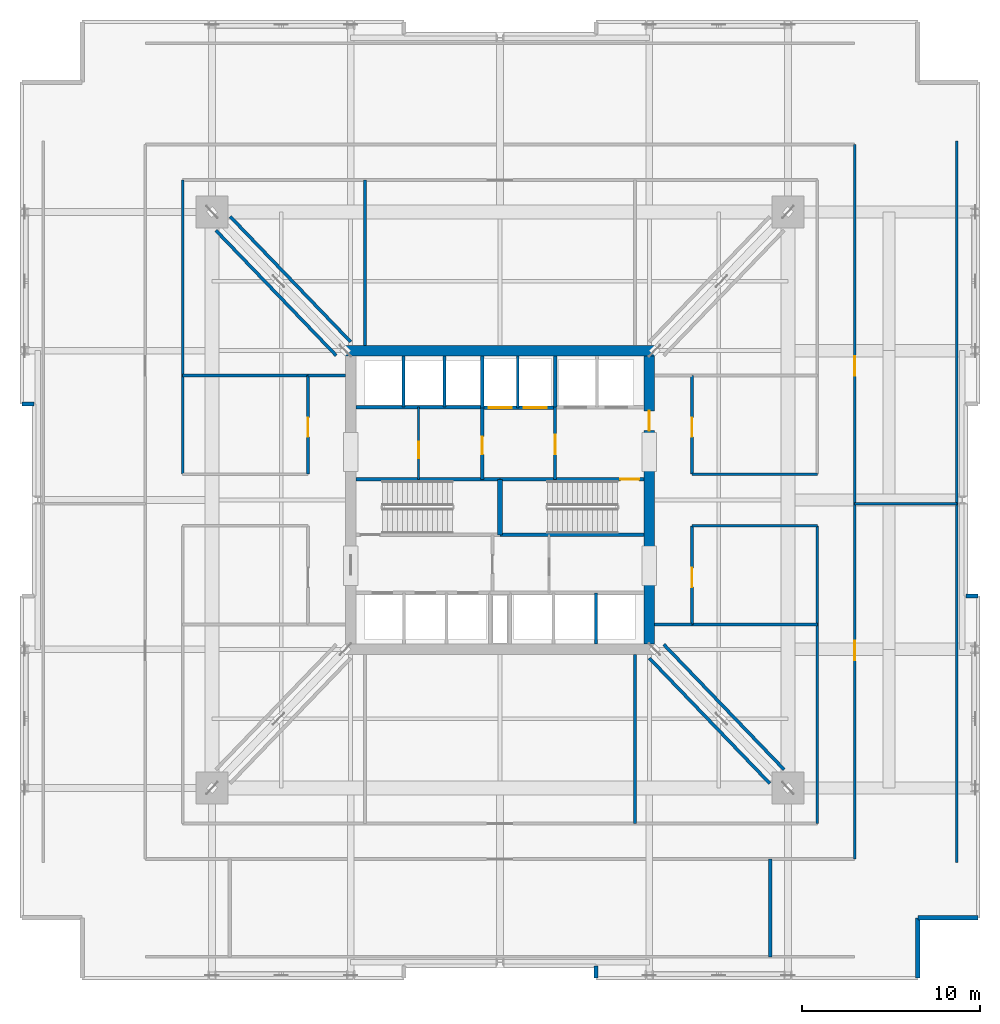
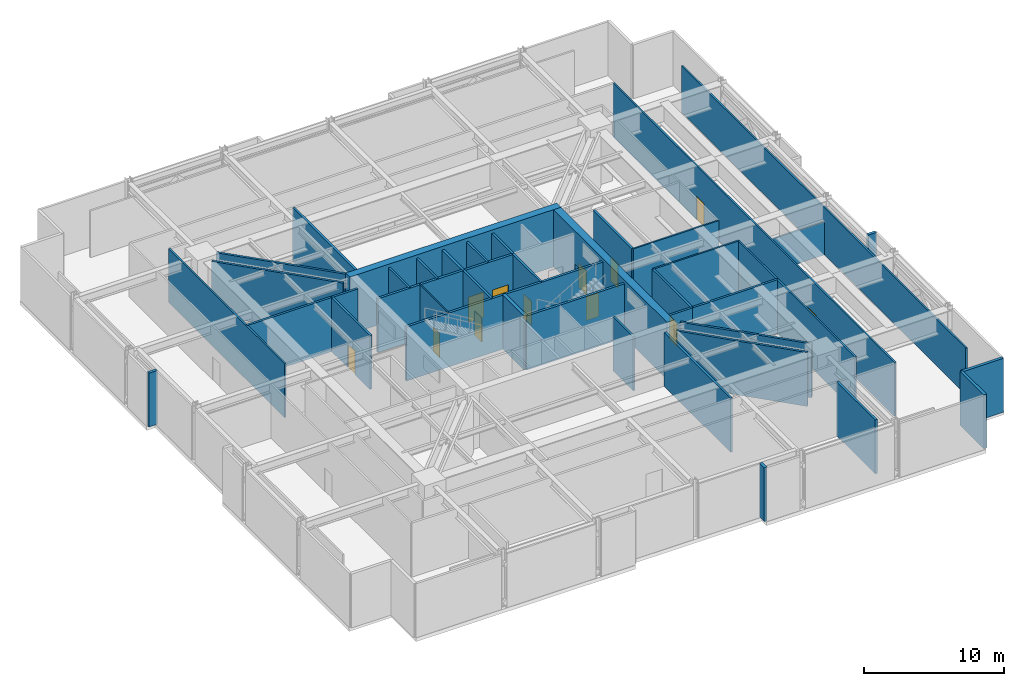
# One storey, part 8 of 13: 43 walls, 12 doors, 12 openings.
"""IFC4 building model written with IfcOpenShell, lengths in metres."""

from ifc_helpers import new_model, si_unit, direction, frame, frame_2d, origin, place, context, subcontext, project, spatial, rectangle, extrude, material, layer, layer_set, type_object, element, fill, save


model = new_model("IFC4")

# Units and contexts
model_context = context("Model", 3, precision=1e-05, world=origin(), true_north=direction((0.0, 1.0)))
body_context = subcontext(model_context, "Body", "Model", "MODEL_VIEW")
ifc_project = project(units=[si_unit("LENGTHUNIT", "METRE"), si_unit("AREAUNIT", "SQUARE_METRE"), si_unit("VOLUMEUNIT", "CUBIC_METRE"), si_unit("PLANEANGLEUNIT", "RADIAN"), si_unit("MASSUNIT", "GRAM", prefix="KILO")], contexts=[model_context])

# Site, building, storey
site_placement = place(None, origin())
site = spatial("IfcSite", under=ifc_project, at=site_placement, CompositionType="ELEMENT")
building_placement = place(site_placement, origin())
building = spatial("IfcBuilding", under=site, at=building_placement, Name="Drelvath Grand Hotel", CompositionType="ELEMENT")
storey_placement = place(building_placement, frame((0.0, 0.0, 82.199951171875)))
storey = spatial("IfcBuildingStorey", under=building, at=storey_placement, Name="L20", CompositionType="ELEMENT", Elevation=82.199951171875)

# Wall, opening, door
ifc_material_1 = material(Name="Gypsum Partition Board")
ifc_layer_1 = layer(ifc_material_1, 0.10009765625)
ifc_layer_set_1 = layer_set([ifc_layer_1], Name="Gypsum Partition Board")
wall_type_1 = type_object("IfcWallType", Name="Core Closet Partition 100", PredefinedType="PARTITIONING", material=ifc_layer_set_1)
wall_1_placement = place(storey_placement, frame((-4.580078125, 28.159912109375, 0.0), z_axis=(0.0, 0.0, 1.0), x_axis=(0.0, 1.0, 0.0)))
wall_1 = element("IfcWall", 1, at=wall_1_placement, inside=storey, type_object=wall_type_1, Name="L20 Core Closet Divider", PredefinedType="PARTITIONING", context=body_context, shape_type="SweptSolid", body=[
    extrude(rectangle(XDim=4.06005859375, YDim=0.10009765625, at=frame_2d((2.030029296875, 0.0))), origin(), (0.0, 0.0, 1.0), 4.699951171875),
])
opening_1_placement = place(wall_1_placement, frame((1.199951171875, 0.0, 0.0)))
opening_1 = element("IfcOpeningElement", 2, at=opening_1_placement, cuts=wall_1, Name="Opening D-L20-010", PredefinedType="OPENING", context=body_context, shape_type="SweptSolid", body=[
    extrude(rectangle(XDim=0.919921875, YDim=2.10009765625, at=frame_2d((0.4599609375, 1.050048828125))), frame((0.0, 0.06005859375, 0.0), z_axis=(0.0, -1.0, 0.0), x_axis=(1.0, 0.0, 0.0)), (0.0, 0.0, 1.0), 0.1201171875),
])
ifc_material_2 = material(Name="Painted Steel S275", Category="steel")
door_type_1 = type_object("IfcDoorType", Name="Staff Utility Door 920x2100", OperationType="NOTDEFINED", PredefinedType="DOOR", material=ifc_material_2)
door_1_placement = place(opening_1_placement, origin())
door_1 = element("IfcDoor", 3, at=door_1_placement, inside=storey, type_object=door_type_1, Name="L20 Electrical Closet Door", OperationType="SINGLE_SWING_RIGHT", OverallHeight=2.10009765625, OverallWidth=0.919921875, PredefinedType="DOOR", context=body_context, shape_type="SweptSolid", body=[
    extrude(rectangle(XDim=0.919921875, YDim=2.10009765625, at=frame_2d((0.4599609375, 1.050048828125))), frame((0.0, 0.02490234375, 0.0), z_axis=(0.0, -1.0, 0.0), x_axis=(1.0, 0.0, 0.0)), (0.0, 0.0, 1.0), 0.050048828125),
])
fill(opening_1, door_1)

# Wall
ifc_material_3 = material(Name="Concrete C40/50", Category="concrete")
ifc_layer_2 = layer(ifc_material_3, 0.199951171875)
ifc_layer_set_2 = layer_set([ifc_layer_2], Name="Concrete C40/50")
wall_type_2 = type_object("IfcWallType", Name="Core Hoistway Fire Wall 200", PredefinedType="SOLIDWALL", material=ifc_layer_set_2)
wall_2_placement = place(storey_placement, frame((3.10009765625, 32.219970703125, 0.0), z_axis=(0.0, 0.0, 1.0), x_axis=(0.0, 1.0, 0.0)))
element("IfcWall", 4, at=wall_2_placement, inside=storey, type_object=wall_type_2, Name="L20 FSAE Hoistway West Wall", PredefinedType="SOLIDWALL", context=body_context, shape_type="SweptSolid", body=[
    extrude(rectangle(XDim=2.880126953125, YDim=0.199951171875, at=frame_2d((1.43994140625, 0.0))), origin(), (0.0, 0.0, 1.0), 4.699951171875),
])

# Wall, openings, doors
wall_3_placement = place(storey_placement, frame((-1.0, 32.179931640625, 0.0), z_axis=(0.0, 0.0, 1.0), x_axis=(1.0, 0.0, 0.0)))
wall_3 = element("IfcWall", 5, at=wall_3_placement, inside=storey, type_object=wall_type_2, Name="L20 Service Lift Hoistway Wall", PredefinedType="SOLIDWALL", context=body_context, shape_type="SweptSolid", body=[
    extrude(rectangle(XDim=4.10009765625, YDim=0.199951171875, at=frame_2d((2.050048828125, 0.0))), origin(), (0.0, 0.0, 1.0), 4.699951171875),
])
opening_2_placement = place(wall_3_placement, frame((0.3701171875, 0.0, 0.0)))
opening_2 = element("IfcOpeningElement", 6, at=opening_2_placement, cuts=wall_3, Name="Opening LD-SV-2", PredefinedType="OPENING", context=body_context, shape_type="SweptSolid", body=[
    extrude(rectangle(XDim=1.300048828125, YDim=2.199951171875, at=frame_2d((0.64990234375, 1.10009765625))), frame((0.0, 0.10986328125, 0.0), z_axis=(0.0, -1.0, 0.0), x_axis=(1.0, 0.0, 0.0)), (0.0, 0.0, 1.0), 0.219970703125),
])
opening_3_placement = place(wall_3_placement, frame((2.330078125, 0.0, 0.0)))
opening_3 = element("IfcOpeningElement", 7, at=opening_3_placement, cuts=wall_3, Name="Opening LD-SV-1", PredefinedType="OPENING", context=body_context, shape_type="SweptSolid", body=[
    extrude(rectangle(XDim=1.300048828125, YDim=2.199951171875, at=frame_2d((0.64990234375, 1.10009765625))), frame((0.0, 0.10986328125, 0.0), z_axis=(0.0, -1.0, 0.0), x_axis=(1.0, 0.0, 0.0)), (0.0, 0.0, 1.0), 0.219970703125),
])
ifc_material_4 = material(Name="Stainless Steel S355", Category="steel")
door_type_2 = type_object("IfcDoorType", Name="Service Lift Sliding Landing Door 1300x2200", OperationType="NOTDEFINED", PredefinedType="DOOR", material=ifc_material_4)
door_2_placement = place(opening_2_placement, origin())
door_2 = element("IfcDoor", 8, at=door_2_placement, inside=storey, type_object=door_type_2, Name="L20 Lift SV-2 Landing Door", OperationType="SLIDING_TO_LEFT", OverallHeight=2.199951171875, OverallWidth=1.300048828125, PredefinedType="DOOR", context=body_context, shape_type="SweptSolid", body=[
    extrude(rectangle(XDim=1.300048828125, YDim=2.199951171875, at=frame_2d((0.64990234375, 1.10009765625))), frame((0.0, 0.02490234375, 0.0), z_axis=(0.0, -1.0, 0.0), x_axis=(1.0, 0.0, 0.0)), (0.0, 0.0, 1.0), 0.050048828125),
])
fill(opening_2, door_2)
door_3_placement = place(opening_3_placement, origin())
door_3 = element("IfcDoor", 9, at=door_3_placement, inside=storey, type_object=door_type_2, Name="L20 Lift SV-1 Landing Door", OperationType="SLIDING_TO_LEFT", OverallHeight=2.199951171875, OverallWidth=1.300048828125, PredefinedType="DOOR", context=body_context, shape_type="SweptSolid", body=[
    extrude(rectangle(XDim=1.300048828125, YDim=2.199951171875, at=frame_2d((0.64990234375, 1.10009765625))), frame((0.0, 0.02490234375, 0.0), z_axis=(0.0, -1.0, 0.0), x_axis=(1.0, 0.0, 0.0)), (0.0, 0.0, 1.0), 0.050048828125),
])
fill(opening_3, door_3)

# Walls
wall_4_placement = place(storey_placement, frame((-1.0, 32.179931640625, 0.0), z_axis=(0.0, 0.0, 1.0), x_axis=(0.0, 1.0, 0.0)))
element("IfcWall", 10, at=wall_4_placement, inside=storey, type_object=wall_type_2, Name="L20 Service Lift West Wall", PredefinedType="SOLIDWALL", context=body_context, shape_type="SweptSolid", body=[
    extrude(rectangle(XDim=2.920166015625, YDim=0.199951171875, at=frame_2d((1.4599609375, 0.0))), origin(), (0.0, 0.0, 1.0), 4.699951171875),
])
wall_5_placement = place(storey_placement, frame((-8.10009765625, 32.219970703125, 0.0), z_axis=(0.0, 0.0, 1.0), x_axis=(1.0, 0.0, 0.0)))
element("IfcWall", 11, at=wall_5_placement, inside=storey, type_object=wall_type_2, Name="L20 Bank 3 Hoistway Wall", PredefinedType="SOLIDWALL", context=body_context, shape_type="SweptSolid", body=[
    extrude(rectangle(XDim=7.10009765625, YDim=0.199951171875, at=frame_2d((3.550048828125, 0.0))), origin(), (0.0, 0.0, 1.0), 4.699951171875),
])
ifc_layer_3 = layer(ifc_material_3, 0.199951171875)
ifc_layer_set_3 = layer_set([ifc_layer_3], Name="Concrete C40/50")
wall_type_3 = type_object("IfcWallType", Name="Core Shaft Fire Wall 200", PredefinedType="SOLIDWALL", material=ifc_layer_set_3)
for number, where, z_axis, x_axis, name in (
    (12, (-8.10009765625, 28.159912109375, 0.0), (0.0, 0.0, 1.0), (1.0, 0.0, 0.0), "L20 Stair ST-1 North Wall"),
    (13, (0.0, 25.0400390625, 0.0), (0.0, 0.0, 1.0), (1.0, 0.0, 0.0), "L20 Stair ST-2 South Wall"),
):
    element("IfcWall", number, at=place(storey_placement, frame(where, z_axis=z_axis, x_axis=x_axis)), inside=storey, type_object=wall_type_3, Name=name, PredefinedType="SOLIDWALL", context=body_context, shape_type="SweptSolid", body=[
        extrude(rectangle(XDim=8.10009765625, YDim=0.199951171875, at=frame_2d((4.050048828125, 0.0))), origin(), (0.0, 0.0, 1.0), 4.699951171875),
    ])

# Wall, opening, door
wall_6_placement = place(storey_placement, frame((8.10009765625, 28.159912109375, 0.0), z_axis=(0.0, 0.0, 1.0), x_axis=(-1.0, 0.0, 0.0)))
wall_6 = element("IfcWall", 14, at=wall_6_placement, inside=storey, type_object=wall_type_3, Name="L20 Stair ST-2 North Wall", PredefinedType="SOLIDWALL", context=body_context, shape_type="SweptSolid", body=[
    extrude(rectangle(XDim=8.10009765625, YDim=0.199951171875, at=frame_2d((4.050048828125, 0.0))), origin(), (0.0, 0.0, 1.0), 4.699951171875),
])
opening_4_placement = place(wall_6_placement, frame((0.280029296875, 0.0, 0.0)))
opening_4 = element("IfcOpeningElement", 15, at=opening_4_placement, cuts=wall_6, Name="Opening D-L20-002", PredefinedType="OPENING", context=body_context, shape_type="SweptSolid", body=[
    extrude(rectangle(XDim=1.050048828125, YDim=2.10009765625, at=frame_2d((0.52490234375, 1.050048828125))), frame((0.0, 0.10986328125, 0.0), z_axis=(0.0, -1.0, 0.0), x_axis=(1.0, 0.0, 0.0)), (0.0, 0.0, 1.0), 0.219970703125),
])
door_type_3 = type_object("IfcDoorType", Name="Tower Stairwell Fire Door 1050x2100", OperationType="NOTDEFINED", PredefinedType="DOOR", material=ifc_material_2)
door_4_placement = place(opening_4_placement, origin())
door_4 = element("IfcDoor", 16, at=door_4_placement, inside=storey, type_object=door_type_3, Name="L20 Exit Stair ST-2 Door", OperationType="SINGLE_SWING_LEFT", OverallHeight=2.10009765625, OverallWidth=1.050048828125, PredefinedType="DOOR", context=body_context, shape_type="SweptSolid", body=[
    extrude(rectangle(XDim=1.050048828125, YDim=2.10009765625, at=frame_2d((0.52490234375, 1.050048828125))), frame((0.0, 0.02490234375, 0.0), z_axis=(0.0, -1.0, 0.0), x_axis=(1.0, 0.0, 0.0)), (0.0, 0.0, 1.0), 0.050048828125),
])
fill(opening_4, door_4)

# Walls
ifc_layer_4 = layer(ifc_material_3, 0.300048828125)
ifc_layer_set_4 = layer_set([ifc_layer_4], Name="Concrete C40/50")
wall_type_4 = type_object("IfcWallType", Name="Core Shaft Fire Wall 300", PredefinedType="SOLIDWALL", material=ifc_layer_set_4)
wall_7_placement = place(storey_placement, frame((0.0, 25.0400390625, 0.0), z_axis=(0.0, 0.0, 1.0), x_axis=(0.0, 1.0, 0.0)))
element("IfcWall", 17, at=wall_7_placement, inside=storey, type_object=wall_type_4, Name="L20 Core Stair Divider Wall", PredefinedType="SOLIDWALL", context=body_context, shape_type="SweptSolid", body=[
    extrude(rectangle(XDim=3.119873046875, YDim=0.300048828125, at=frame_2d((1.56005859375, 0.0))), origin(), (0.0, 0.0, 1.0), 4.699951171875),
])
ifc_material_5 = material(Name="Gypsum Fireboard Partition")
ifc_layer_5 = layer(ifc_material_5, 0.1650390625)
ifc_layer_set_5 = layer_set([ifc_layer_5], Name="Gypsum Fireboard Partition")
wall_type_5 = type_object("IfcWallType", Name="Core Shaft Partition 165", PredefinedType="PARTITIONING", material=ifc_layer_set_5)
wall_8_placement = place(storey_placement, frame((1.0, 32.179931640625, 0.0), z_axis=(0.0, 0.0, 1.0), x_axis=(0.0, 1.0, 0.0)))
element("IfcWall", 18, at=wall_8_placement, inside=storey, type_object=wall_type_5, Name="L20 Service Lift Divider", PredefinedType="PARTITIONING", context=body_context, shape_type="SweptSolid", body=[
    extrude(rectangle(XDim=2.920166015625, YDim=0.1650390625, at=frame_2d((1.4599609375, 0.0))), origin(), (0.0, 0.0, 1.0), 4.699951171875),
])
for number, where, z_axis, x_axis, name in (
    (19, (-5.43994140625, 32.219970703125, 0.0), (0.0, 0.0, 1.0), (0.0, 1.0, 0.0), "L20 Lift PE-7/8 Divider"),
    (20, (-3.1201171875, 32.219970703125, 0.0), (0.0, 0.0, 1.0), (0.0, 1.0, 0.0), "L20 Lift PE-8/9 Divider"),
    (21, (5.39990234375, 18.89990234375, 0.0), (0.0, 0.0, 1.0), (0.0, 1.0, 0.0), "L20 Lift PE-5/6 Divider"),
):
    element("IfcWall", number, at=place(storey_placement, frame(where, z_axis=z_axis, x_axis=x_axis)), inside=storey, type_object=wall_type_5, Name=name, PredefinedType="PARTITIONING", context=body_context, shape_type="SweptSolid", body=[
        extrude(rectangle(XDim=2.880126953125, YDim=0.1650390625, at=frame_2d((1.43994140625, 0.0))), origin(), (0.0, 0.0, 1.0), 4.699951171875),
    ])
ifc_layer_6 = layer(ifc_material_5, 0.135009765625)
ifc_layer_set_6 = layer_set([ifc_layer_6], Name="Gypsum Fireboard Partition")
wall_type_6 = type_object("IfcWallType", Name="Corridor Fire Barrier Wall 135", PredefinedType="PARTITIONING", material=ifc_layer_set_6)
wall_9_placement = place(storey_placement, frame((25.699951171875, 6.60009765625, 0.0), z_axis=(0.0, 0.0, 1.0), x_axis=(0.0, 1.0, 0.0)))
element("IfcWall", 22, at=wall_9_placement, inside=storey, type_object=wall_type_6, Name="L20 East Belt Plenum Wall", PredefinedType="PARTITIONING", context=body_context, shape_type="SweptSolid", body=[
    extrude(rectangle(XDim=40.599853515625, YDim=0.135009765625, at=frame_2d((20.2998046875, 0.0))), origin(), (0.0, 0.0, 1.0), 4.073974609375),
])
for number, where, z_axis, x_axis, name in (
    (23, (10.800048828125, 25.550048828125, 0.0), (0.0, 0.0, 1.0), (1.0, 0.0, 0.0), "L20 East Cross-Arm South Wall"),
    (24, (10.800048828125, 28.449951171875, 0.0), (0.0, 0.0, 1.0), (1.0, 0.0, 0.0), "L20 East Cross-Arm North Wall"),
):
    element("IfcWall", number, at=place(storey_placement, frame(where, z_axis=z_axis, x_axis=x_axis)), inside=storey, type_object=wall_type_6, Name=name, PredefinedType="PARTITIONING", context=body_context, shape_type="SweptSolid", body=[
        extrude(rectangle(XDim=7.050048828125, YDim=0.135009765625, at=frame_2d((3.52490234375, 0.0))), origin(), (0.0, 0.0, 1.0), 4.699951171875),
    ])
wall_10_placement = place(storey_placement, frame((-17.85009765625, 28.449951171875, 0.0), z_axis=(0.0, 0.0, 1.0), x_axis=(0.0, 1.0, 0.0)))
element("IfcWall", 25, at=wall_10_placement, inside=storey, type_object=wall_type_6, Name="L20 West Outer Leg Inner N", PredefinedType="PARTITIONING", context=body_context, shape_type="SweptSolid", body=[
    extrude(rectangle(XDim=16.550048828125, YDim=0.135009765625, at=frame_2d((8.27490234375, 0.0))), origin(), (0.0, 0.0, 1.0), 4.699951171875),
])

# Wall, openings, doors
wall_11_placement = place(storey_placement, frame((19.949951171875, 6.800048828125, 0.0), z_axis=(0.0, 0.0, 1.0), x_axis=(0.0, 1.0, 0.0)))
wall_11 = element("IfcWall", 26, at=wall_11_placement, inside=storey, type_object=wall_type_6, Name="L20 East Outer Leg Outer Wall", PredefinedType="PARTITIONING", context=body_context, shape_type="SweptSolid", body=[
    extrude(rectangle(XDim=40.199951171875, YDim=0.135009765625, at=frame_2d((20.10009765625, 0.0))), origin(), (0.0, 0.0, 1.0), 4.699951171875),
])
opening_5_placement = place(wall_11_placement, frame((11.199951171875, 0.0, 0.0)))
opening_5 = element("IfcOpeningElement", 27, at=opening_5_placement, cuts=wall_11, Name="Opening D-L20-026", PredefinedType="OPENING", context=body_context, shape_type="SweptSolid", body=[
    extrude(rectangle(XDim=1.080078125, YDim=2.0400390625, at=frame_2d((0.5400390625, 1.02001953125))), frame((0.0, 0.077392578125, 0.0), z_axis=(0.0, -1.0, 0.0), x_axis=(1.0, 0.0, 0.0)), (0.0, 0.0, 1.0), 0.155029296875),
])
opening_6_placement = place(wall_11_placement, frame((27.199951171875, 0.0, 0.0)))
opening_6 = element("IfcOpeningElement", 28, at=opening_6_placement, cuts=wall_11, Name="Opening D-L20-027", PredefinedType="OPENING", context=body_context, shape_type="SweptSolid", body=[
    extrude(rectangle(XDim=1.080078125, YDim=2.0400390625, at=frame_2d((0.5400390625, 1.02001953125))), frame((0.0, 0.077392578125, 0.0), z_axis=(0.0, -1.0, 0.0), x_axis=(1.0, 0.0, 0.0)), (0.0, 0.0, 1.0), 0.155029296875),
])
door_type_4 = type_object("IfcDoorType", Name="Core Corridor Fire Door 1080x2100", OperationType="NOTDEFINED", PredefinedType="DOOR", material=ifc_material_2)
door_5_placement = place(opening_5_placement, origin())
door_5 = element("IfcDoor", 29, at=door_5_placement, inside=storey, type_object=door_type_4, Name="L20 UPS Plant Door", OperationType="SINGLE_SWING_LEFT", OverallHeight=2.0400390625, OverallWidth=1.080078125, PredefinedType="DOOR", context=body_context, shape_type="SweptSolid", body=[
    extrude(rectangle(XDim=1.080078125, YDim=2.0400390625, at=frame_2d((0.5400390625, 1.02001953125))), frame((0.0, 0.02490234375, 0.0), z_axis=(0.0, -1.0, 0.0), x_axis=(1.0, 0.0, 0.0)), (0.0, 0.0, 1.0), 0.050048828125),
])
fill(opening_5, door_5)
door_6_placement = place(opening_6_placement, origin())
door_6 = element("IfcDoor", 30, at=door_6_placement, inside=storey, type_object=door_type_4, Name="L20 Substation Plant Door", OperationType="SINGLE_SWING_RIGHT", OverallHeight=2.0400390625, OverallWidth=1.080078125, PredefinedType="DOOR", context=body_context, shape_type="SweptSolid", body=[
    extrude(rectangle(XDim=1.080078125, YDim=2.0400390625, at=frame_2d((0.5400390625, 1.02001953125))), frame((0.0, 0.02490234375, 0.0), z_axis=(0.0, -1.0, 0.0), x_axis=(1.0, 0.0, 0.0)), (0.0, 0.0, 1.0), 0.050048828125),
])
fill(opening_6, door_6)

# Walls
wall_12_placement = place(storey_placement, frame((17.85009765625, 8.800048828125, 0.0), z_axis=(0.0, 0.0, 1.0), x_axis=(0.0, 1.0, 0.0)))
element("IfcWall", 31, at=wall_12_placement, inside=storey, type_object=wall_type_6, Name="L20 East Outer Leg Inner S", PredefinedType="PARTITIONING", context=body_context, shape_type="SweptSolid", body=[
    extrude(rectangle(XDim=16.75, YDim=0.135009765625, at=frame_2d((8.375, 0.0))), origin(), (0.0, 0.0, 1.0), 4.699951171875),
])
wall_13_placement = place(storey_placement, frame((19.949951171875, 26.800048828125, 0.0), z_axis=(0.0, 0.0, 1.0), x_axis=(1.0, 0.0, 0.0)))
element("IfcWall", 32, at=wall_13_placement, inside=storey, type_object=wall_type_6, Name="L20 Outer East Plant Split", PredefinedType="PARTITIONING", context=body_context, shape_type="SweptSolid", body=[
    extrude(rectangle(XDim=5.75, YDim=0.135009765625, at=frame_2d((2.875, 0.0))), origin(), (0.0, 0.0, 1.0), 2.885009765625),
])

# Wall, opening, door
ifc_layer_7 = layer(ifc_material_5, 0.179931640625)
ifc_layer_set_7 = layer_set([ifc_layer_7], Name="Gypsum Fireboard Partition")
wall_type_7 = type_object("IfcWallType", Name="FSAE Smoke Lobby Fire Wall 180", PredefinedType="SOLIDWALL", material=ifc_layer_set_7)
wall_14_placement = place(storey_placement, frame((3.10009765625, 28.159912109375, 0.0), z_axis=(0.0, 0.0, 1.0), x_axis=(0.0, 1.0, 0.0)))
wall_14 = element("IfcWall", 33, at=wall_14_placement, inside=storey, type_object=wall_type_7, Name="L20 FSAE Smoke Lobby West Wall", PredefinedType="SOLIDWALL", context=body_context, shape_type="SweptSolid", body=[
    extrude(rectangle(XDim=4.06005859375, YDim=0.179931640625, at=frame_2d((2.030029296875, 0.0))), origin(), (0.0, 0.0, 1.0), 4.699951171875),
])
opening_7_placement = place(wall_14_placement, frame((1.39990234375, 0.0, 0.0)))
opening_7 = element("IfcOpeningElement", 34, at=opening_7_placement, cuts=wall_14, Name="Opening D-L20-005", PredefinedType="OPENING", context=body_context, shape_type="SweptSolid", body=[
    extrude(rectangle(XDim=1.1201171875, YDim=2.10009765625, at=frame_2d((0.56005859375, 1.050048828125))), frame((0.0, 0.099853515625, 0.0), z_axis=(0.0, -1.0, 0.0), x_axis=(1.0, 0.0, 0.0)), (0.0, 0.0, 1.0), 0.199951171875),
])
door_type_5 = type_object("IfcDoorType", Name="FSAE Smoke Lobby Fire Door 1120x2100", OperationType="NOTDEFINED", PredefinedType="DOOR", material=ifc_material_2)
door_7_placement = place(opening_7_placement, origin())
door_7 = element("IfcDoor", 35, at=door_7_placement, inside=storey, type_object=door_type_5, Name="L20 FSAE Lobby Service Vestibule Door", OperationType="SINGLE_SWING_RIGHT", OverallHeight=2.10009765625, OverallWidth=1.1201171875, PredefinedType="DOOR", context=body_context, shape_type="SweptSolid", body=[
    extrude(rectangle(XDim=1.1201171875, YDim=2.10009765625, at=frame_2d((0.56005859375, 1.050048828125))), frame((0.0, 0.02490234375, 0.0), z_axis=(0.0, -1.0, 0.0), x_axis=(1.0, 0.0, 0.0)), (0.0, 0.0, 1.0), 0.050048828125),
])
fill(opening_7, door_7)

wall_15_placement = place(storey_placement, frame((-1.0, 28.159912109375, 0.0), z_axis=(0.0, 0.0, 1.0), x_axis=(0.0, 1.0, 0.0)))
wall_15 = element("IfcWall", 36, at=wall_15_placement, inside=storey, type_object=wall_type_7, Name="L20 Service Vestibule West Wall", PredefinedType="SOLIDWALL", context=body_context, shape_type="SweptSolid", body=[
    extrude(rectangle(XDim=4.02001953125, YDim=0.179931640625, at=frame_2d((2.010009765625, 0.0))), origin(), (0.0, 0.0, 1.0), 4.699951171875),
])
opening_8_placement = place(wall_15_placement, frame((1.39990234375, 0.0, 0.0)))
opening_8 = element("IfcOpeningElement", 37, at=opening_8_placement, cuts=wall_15, Name="Opening D-L20-009", PredefinedType="OPENING", context=body_context, shape_type="SweptSolid", body=[
    extrude(rectangle(XDim=1.0, YDim=2.10009765625, at=frame_2d((0.5, 1.050048828125))), frame((0.0, 0.099853515625, 0.0), z_axis=(0.0, -1.0, 0.0), x_axis=(1.0, 0.0, 0.0)), (0.0, 0.0, 1.0), 0.199951171875),
])
door_type_6 = type_object("IfcDoorType", Name="Core Service Fire Door 1000x2100", OperationType="NOTDEFINED", PredefinedType="DOOR", material=ifc_material_2)
door_8_placement = place(opening_8_placement, origin())
door_8 = element("IfcDoor", 38, at=door_8_placement, inside=storey, type_object=door_type_6, Name="L20 Service Vestibule West Door", OperationType="SINGLE_SWING_LEFT", OverallHeight=2.10009765625, OverallWidth=1.0, PredefinedType="DOOR", context=body_context, shape_type="SweptSolid", body=[
    extrude(rectangle(XDim=1.0, YDim=2.10009765625, at=frame_2d((0.5, 1.050048828125))), frame((0.0, 0.02490234375, 0.0), z_axis=(0.0, -1.0, 0.0), x_axis=(1.0, 0.0, 0.0)), (0.0, 0.0, 1.0), 0.050048828125),
])
fill(opening_8, door_8)

# Walls
for number, where, z_axis, x_axis, name in (
    (39, (8.400390625, 18.103759765625, 0.0), (0.0, 0.0, 1.0), (0.693103223405, -0.720838346445, 0.0), "L20 Truss SE Fire Bulkhead A"),
    (40, (9.20751953125, 18.8798828125, 0.0), (0.0, 0.0, 1.0), (0.693128689913, -0.720813858926, 0.0), "L20 Truss SE Fire Bulkhead B"),
    (41, (-8.400390625, 35.896240234375, 0.0), (0.0, 0.0, 1.0), (-0.693103223405, 0.720838346445, 0.0), "L20 Truss NW Fire Bulkhead A"),
    (42, (-9.20751953125, 35.1201171875, 0.0), (0.0, 0.0, 1.0), (-0.693128689913, 0.720813858926, 0.0), "L20 Truss NW Fire Bulkhead B"),
):
    element("IfcWall", number, at=place(storey_placement, frame(where, z_axis=z_axis, x_axis=x_axis)), inside=storey, type_object=wall_type_7, Name=name, PredefinedType="SOLIDWALL", context=body_context, shape_type="SweptSolid", body=[
        extrude(rectangle(XDim=9.770751953125, YDim=0.179931640625, at=frame_2d((4.88525390625, 0.0))), origin(), (0.0, 0.0, 1.0), 4.699951171875),
    ])

# Wall, opening, door
wall_16_placement = place(storey_placement, frame((-10.800048828125, 28.449951171875, 0.0), z_axis=(0.0, 0.0, 1.0), x_axis=(0.0, 1.0, 0.0)))
wall_16 = element("IfcWall", 43, at=wall_16_placement, inside=storey, type_object=wall_type_7, Name="L20 Plant West Foyer Upper Wall", PredefinedType="SOLIDWALL", context=body_context, shape_type="SweptSolid", body=[
    extrude(rectangle(XDim=5.550048828125, YDim=0.179931640625, at=frame_2d((2.77490234375, 0.0))), origin(), (0.0, 0.0, 1.0), 4.699951171875),
])
opening_9_placement = place(wall_16_placement, frame((2.10009765625, 0.0, 0.0)))
opening_9 = element("IfcOpeningElement", 44, at=opening_9_placement, cuts=wall_16, Name="Opening D-L20-021", PredefinedType="OPENING", context=body_context, shape_type="SweptSolid", body=[
    extrude(rectangle(XDim=1.080078125, YDim=2.0400390625, at=frame_2d((0.5400390625, 1.02001953125))), frame((0.0, 0.099853515625, 0.0), z_axis=(0.0, -1.0, 0.0), x_axis=(1.0, 0.0, 0.0)), (0.0, 0.0, 1.0), 0.199951171875),
])
door_9_placement = place(opening_9_placement, origin())
door_9 = element("IfcDoor", 45, at=door_9_placement, inside=storey, type_object=door_type_4, Name="L20 Makeup Fan Plant Door", OperationType="SINGLE_SWING_RIGHT", OverallHeight=2.0400390625, OverallWidth=1.080078125, PredefinedType="DOOR", context=body_context, shape_type="SweptSolid", body=[
    extrude(rectangle(XDim=1.080078125, YDim=2.0400390625, at=frame_2d((0.5400390625, 1.02001953125))), frame((0.0, 0.02490234375, 0.0), z_axis=(0.0, -1.0, 0.0), x_axis=(1.0, 0.0, 0.0)), (0.0, 0.0, 1.0), 0.050048828125),
])
fill(opening_9, door_9)

# Wall
wall_17_placement = place(storey_placement, frame((-10.800048828125, 34.0, 0.0), z_axis=(0.0, 0.0, 1.0), x_axis=(1.0, 0.0, 0.0)))
element("IfcWall", 46, at=wall_17_placement, inside=storey, type_object=wall_type_7, Name="L20 Plant West Foyer North End", PredefinedType="SOLIDWALL", context=body_context, shape_type="SweptSolid", body=[
    extrude(rectangle(XDim=2.10009765625, YDim=0.179931640625, at=frame_2d((1.050048828125, 0.0))), origin(), (0.0, 0.0, 1.0), 4.699951171875),
])

# Wall, opening, door
wall_18_placement = place(storey_placement, frame((10.800048828125, 20.0, 0.0), z_axis=(0.0, 0.0, 1.0), x_axis=(0.0, 1.0, 0.0)))
wall_18 = element("IfcWall", 47, at=wall_18_placement, inside=storey, type_object=wall_type_7, Name="L20 Plant East Foyer Lower Wall", PredefinedType="SOLIDWALL", context=body_context, shape_type="SweptSolid", body=[
    extrude(rectangle(XDim=5.550048828125, YDim=0.179931640625, at=frame_2d((2.77490234375, 0.0))), origin(), (0.0, 0.0, 1.0), 4.699951171875),
])
opening_10_placement = place(wall_18_placement, frame((2.10009765625, 0.0, 0.0)))
opening_10 = element("IfcOpeningElement", 48, at=opening_10_placement, cuts=wall_18, Name="Opening D-L20-022", PredefinedType="OPENING", context=body_context, shape_type="SweptSolid", body=[
    extrude(rectangle(XDim=1.080078125, YDim=2.0400390625, at=frame_2d((0.5400390625, 1.02001953125))), frame((0.0, 0.099853515625, 0.0), z_axis=(0.0, -1.0, 0.0), x_axis=(1.0, 0.0, 0.0)), (0.0, 0.0, 1.0), 0.199951171875),
])
door_10_placement = place(opening_10_placement, origin())
door_10 = element("IfcDoor", 49, at=door_10_placement, inside=storey, type_object=door_type_4, Name="L20 Booster Pump Plant Door", OperationType="SINGLE_SWING_LEFT", OverallHeight=2.0400390625, OverallWidth=1.080078125, PredefinedType="DOOR", context=body_context, shape_type="SweptSolid", body=[
    extrude(rectangle(XDim=1.080078125, YDim=2.0400390625, at=frame_2d((0.5400390625, 1.02001953125))), frame((0.0, 0.02490234375, 0.0), z_axis=(0.0, -1.0, 0.0), x_axis=(1.0, 0.0, 0.0)), (0.0, 0.0, 1.0), 0.050048828125),
])
fill(opening_10, door_10)

wall_19_placement = place(storey_placement, frame((10.800048828125, 28.449951171875, 0.0), z_axis=(0.0, 0.0, 1.0), x_axis=(0.0, 1.0, 0.0)))
wall_19 = element("IfcWall", 50, at=wall_19_placement, inside=storey, type_object=wall_type_7, Name="L20 Plant East Foyer Upper Wall", PredefinedType="SOLIDWALL", context=body_context, shape_type="SweptSolid", body=[
    extrude(rectangle(XDim=5.550048828125, YDim=0.179931640625, at=frame_2d((2.77490234375, 0.0))), origin(), (0.0, 0.0, 1.0), 4.699951171875),
])
opening_11_placement = place(wall_19_placement, frame((2.10009765625, 0.0, 0.0)))
opening_11 = element("IfcOpeningElement", 51, at=opening_11_placement, cuts=wall_19, Name="Opening D-L20-023", PredefinedType="OPENING", context=body_context, shape_type="SweptSolid", body=[
    extrude(rectangle(XDim=1.080078125, YDim=2.0400390625, at=frame_2d((0.5400390625, 1.02001953125))), frame((0.0, 0.099853515625, 0.0), z_axis=(0.0, -1.0, 0.0), x_axis=(1.0, 0.0, 0.0)), (0.0, 0.0, 1.0), 0.199951171875),
])
door_11_placement = place(opening_11_placement, origin())
door_11 = element("IfcDoor", 52, at=door_11_placement, inside=storey, type_object=door_type_4, Name="L20 Standpipe Pump Plant Door", OperationType="SINGLE_SWING_RIGHT", OverallHeight=2.0400390625, OverallWidth=1.080078125, PredefinedType="DOOR", context=body_context, shape_type="SweptSolid", body=[
    extrude(rectangle(XDim=1.080078125, YDim=2.0400390625, at=frame_2d((0.5400390625, 1.02001953125))), frame((0.0, 0.02490234375, 0.0), z_axis=(0.0, -1.0, 0.0), x_axis=(1.0, 0.0, 0.0)), (0.0, 0.0, 1.0), 0.050048828125),
])
fill(opening_11, door_11)

# Walls
wall_20_placement = place(storey_placement, frame((8.699951171875, 20.0, 0.0), z_axis=(0.0, 0.0, 1.0), x_axis=(1.0, 0.0, 0.0)))
element("IfcWall", 53, at=wall_20_placement, inside=storey, type_object=wall_type_7, Name="L20 Plant East Foyer South End", PredefinedType="SOLIDWALL", context=body_context, shape_type="SweptSolid", body=[
    extrude(rectangle(XDim=2.10009765625, YDim=0.179931640625, at=frame_2d((1.050048828125, 0.0))), origin(), (0.0, 0.0, 1.0), 4.699951171875),
])
wall_21_placement = place(storey_placement, frame((7.60009765625, 8.800048828125, 0.0), z_axis=(0.0, 0.0, 1.0), x_axis=(0.0, 1.0, 0.0)))
element("IfcWall", 54, at=wall_21_placement, inside=storey, type_object=wall_type_7, Name="L20 South Refuge Inner East Wall", PredefinedType="SOLIDWALL", context=body_context, shape_type="SweptSolid", body=[
    extrude(rectangle(XDim=9.5, YDim=0.179931640625, at=frame_2d((4.75, 0.0))), origin(), (0.0, 0.0, 1.0), 4.699951171875),
])
wall_22_placement = place(storey_placement, frame((15.199951171875, 1.300048828125, 0.0), z_axis=(0.0, 0.0, 1.0), x_axis=(0.0, 1.0, 0.0)))
element("IfcWall", 55, at=wall_22_placement, inside=storey, type_object=wall_type_7, Name="L20 South Apron Refuge East Wall", PredefinedType="SOLIDWALL", context=body_context, shape_type="SweptSolid", body=[
    extrude(rectangle(XDim=5.5, YDim=0.179931640625, at=frame_2d((2.75, 0.0))), origin(), (0.0, 0.0, 1.0), 4.699951171875),
])
wall_23_placement = place(storey_placement, frame((-7.60009765625, 35.699951171875, 0.0), z_axis=(0.0, 0.0, 1.0), x_axis=(0.0, 1.0, 0.0)))
element("IfcWall", 56, at=wall_23_placement, inside=storey, type_object=wall_type_7, Name="L20 North Refuge Inner West Wall", PredefinedType="SOLIDWALL", context=body_context, shape_type="SweptSolid", body=[
    extrude(rectangle(XDim=9.300048828125, YDim=0.179931640625, at=frame_2d((4.64990234375, 0.0))), origin(), (0.0, 0.0, 1.0), 4.699951171875),
])
for number, where, z_axis, x_axis, name in (
    (57, (-17.85009765625, 34.0, 0.0), (0.0, 0.0, 1.0), (1.0, 0.0, 0.0), "L20 West Inner Plant North Wall"),
    (58, (10.800048828125, 20.0, 0.0), (0.0, 0.0, 1.0), (1.0, 0.0, 0.0), "L20 East Inner Plant South Wall"),
):
    element("IfcWall", number, at=place(storey_placement, frame(where, z_axis=z_axis, x_axis=x_axis)), inside=storey, type_object=wall_type_7, Name=name, PredefinedType="SOLIDWALL", context=body_context, shape_type="SweptSolid", body=[
        extrude(rectangle(XDim=7.050048828125, YDim=0.179931640625, at=frame_2d((3.52490234375, 0.0))), origin(), (0.0, 0.0, 1.0), 4.699951171875),
    ])
ifc_material_6 = material(Name="Concrete f'c 70 MPa", Category="concrete")
ifc_layer_8 = layer(ifc_material_6, 0.60009765625)
ifc_layer_set_8 = layer_set([ifc_layer_8], Name="Concrete f'c 70 MPa")
wall_type_8 = type_object("IfcWallType", Name="Lower Core RC Shear Wall 600", PredefinedType="SHEAR", material=ifc_layer_set_8)
wall_24_placement = place(storey_placement, frame((-8.699951171875, 35.39990234375, 0.0), z_axis=(0.0, 0.0, 1.0), x_axis=(1.0, 0.0, 0.0)))
element("IfcWall", 59, at=wall_24_placement, inside=storey, type_object=wall_type_8, Name="L20 Central Core Shear Wall N", PredefinedType="SHEAR", context=body_context, shape_type="SweptSolid", body=[
    extrude(rectangle(XDim=17.39990234375, YDim=0.60009765625, at=frame_2d((8.699951171875, 0.0))), origin(), (0.0, 0.0, 1.0), 5.0),
])

# Wall, opening, door
wall_25_placement = place(storey_placement, frame((8.39990234375, 35.10009765625, 0.0), z_axis=(0.0, 0.0, 1.0), x_axis=(0.0, -1.0, 0.0)))
wall_25 = element("IfcWall", 60, at=wall_25_placement, inside=storey, type_object=wall_type_8, Name="L20 Central Core Shear Wall E", PredefinedType="SHEAR", context=body_context, shape_type="SweptSolid", body=[
    extrude(rectangle(XDim=16.2001953125, YDim=0.60009765625, at=frame_2d((8.10009765625, 0.0))), origin(), (0.0, 0.0, 1.0), 5.0),
])
opening_12_placement = place(wall_25_placement, frame((3.080078125, 0.0, 0.0)))
opening_12 = element("IfcOpeningElement", 61, at=opening_12_placement, cuts=wall_25, Name="Opening D-L20-006", PredefinedType="OPENING", context=body_context, shape_type="SweptSolid", body=[
    extrude(rectangle(XDim=1.1201171875, YDim=2.10009765625, at=frame_2d((0.56005859375, 1.050048828125))), frame((0.0, 0.31005859375, 0.0), z_axis=(0.0, -1.0, 0.0), x_axis=(1.0, 0.0, 0.0)), (0.0, 0.0, 1.0), 0.6201171875),
])
door_12_placement = place(opening_12_placement, origin())
door_12 = element("IfcDoor", 62, at=door_12_placement, inside=storey, type_object=door_type_5, Name="L20 FSAE Lobby East Corridor Door", OperationType="SINGLE_SWING_LEFT", OverallHeight=2.10009765625, OverallWidth=1.1201171875, PredefinedType="DOOR", context=body_context, shape_type="SweptSolid", body=[
    extrude(rectangle(XDim=1.1201171875, YDim=2.10009765625, at=frame_2d((0.56005859375, 1.050048828125))), frame((0.0, 0.02490234375, 0.0), z_axis=(0.0, -1.0, 0.0), x_axis=(1.0, 0.0, 0.0)), (0.0, 0.0, 1.0), 0.050048828125),
])
fill(opening_12, door_12)

# Walls
ifc_material_7 = material(Name="Pale-Metal Insulated Aluminium Spandrel Assembly", Category="aluminium")
ifc_layer_9 = layer(ifc_material_7, 0.239990234375)
ifc_layer_set_9 = layer_set([ifc_layer_9], Name="Pale-Metal Insulated Aluminium Spandrel Assembly")
wall_type_9 = type_object("IfcWallType", Name="Tower Insulated Metal Spandrel Closure Wall 240", PredefinedType="STANDARD", material=ifc_layer_set_9)
for number, where, z_axis, x_axis, name in (
    (63, (26.8798828125, 3.5, 0.0), (0.0, 0.0, 1.0), (-1.0, 0.0, 0.0), "L20 Notched Corner Return Spandrel Wall CSE1"),
    (64, (23.5, 3.5, 0.0), (0.0, 0.0, 1.0), (0.0, -1.0, 0.0), "L20 Notched Corner Return Spandrel Wall CSE2"),
):
    element("IfcWall", number, at=place(storey_placement, frame(where, z_axis=z_axis, x_axis=x_axis)), inside=storey, type_object=wall_type_9, Name=name, PredefinedType="STANDARD", context=body_context, shape_type="SweptSolid", body=[
        extrude(rectangle(XDim=3.3798828125, YDim=0.239990234375, at=frame_2d((1.68994140625, 0.0))), origin(), (0.0, 0.0, 1.0), 4.699951171875),
    ])
for number, where, z_axis, x_axis, name in (
    (65, (-26.199951171875, 32.39990234375, 0.0), (0.0, 0.0, 1.0), (-1.0, 0.0, 0.0), "L20 Notched Corner Return Spandrel Wall RW2"),
    (66, (26.199951171875, 21.60009765625, 0.0), (0.0, 0.0, 1.0), (1.0, 0.0, 0.0), "L20 Notched Corner Return Spandrel Wall RE2"),
    (67, (5.39990234375, 0.1201171875, 0.0), (0.0, 0.0, 1.0), (0.0, 1.0, 0.0), "L20 Notched Corner Return Spandrel Wall RS1"),
):
    element("IfcWall", number, at=place(storey_placement, frame(where, z_axis=z_axis, x_axis=x_axis)), inside=storey, type_object=wall_type_9, Name=name, PredefinedType="STANDARD", context=body_context, shape_type="SweptSolid", body=[
        extrude(rectangle(XDim=0.679931640625, YDim=0.239990234375, at=frame_2d((0.33984375, 0.0))), origin(), (0.0, 0.0, 1.0), 4.699951171875),
    ])

save(model, "model.ifc")
